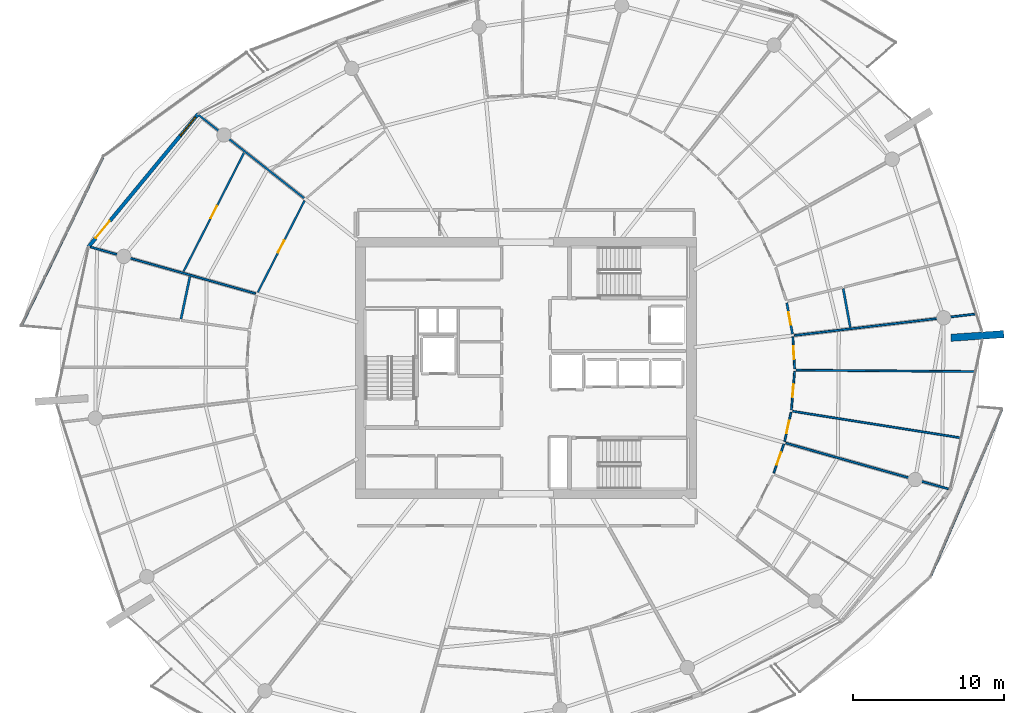
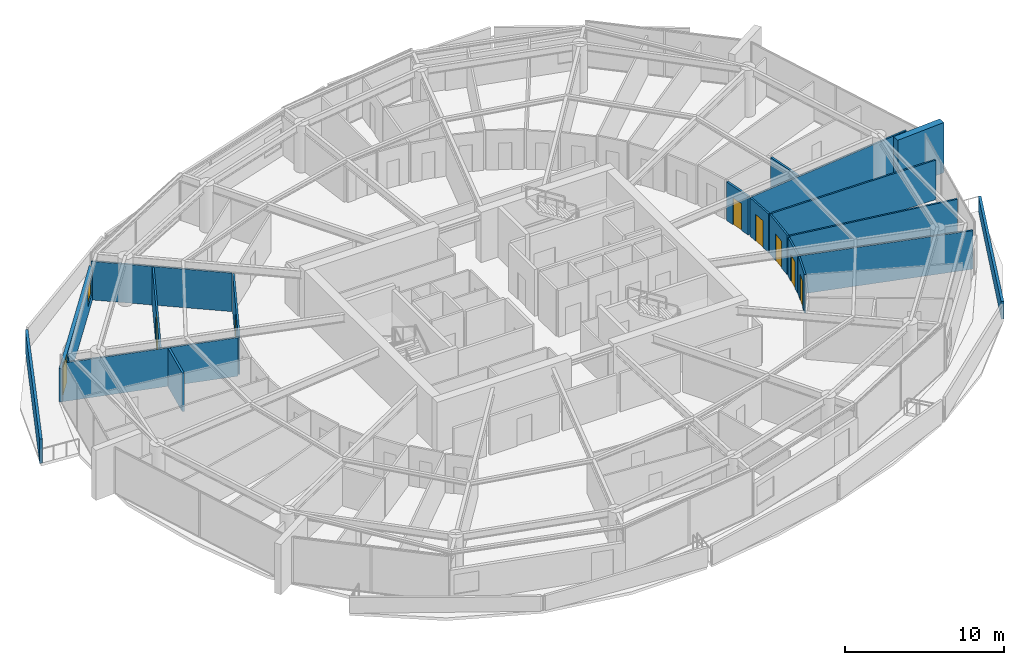
# One storey, part 21 of 31: 19 walls, 8 doors, 1 window, 9 openings.
"""IFC4 building model written with IfcOpenShell, lengths in metres."""

from ifc_helpers import new_model, si_unit, direction, frame, frame_2d, origin, place, context, subcontext, project, spatial, polyline, rectangle, outline, extrude, material, layer, layer_set, type_object, element, fill, save


model = new_model("IFC4")

# Units and contexts
model_context = context("Model", 3, precision=1e-05, world=origin(), true_north=direction((0.0, 1.0)))
body_context = subcontext(model_context, "Body", "Model", "MODEL_VIEW")
ifc_project = project(units=[si_unit("LENGTHUNIT", "METRE"), si_unit("AREAUNIT", "SQUARE_METRE"), si_unit("VOLUMEUNIT", "CUBIC_METRE"), si_unit("PLANEANGLEUNIT", "RADIAN"), si_unit("MASSUNIT", "GRAM", prefix="KILO")], contexts=[model_context])

# Site, building, storey
site_placement = place(None, origin())
site = spatial("IfcSite", under=ifc_project, at=site_placement, CompositionType="ELEMENT")
building_placement = place(site_placement, origin())
building = spatial("IfcBuilding", under=site, at=building_placement, Name="Kazma Halo Residences", CompositionType="ELEMENT")
storey_placement = place(building_placement, frame((0.0, 0.0, 259.800048828125)))
storey = spatial("IfcBuildingStorey", under=building, at=storey_placement, Name="L65", CompositionType="ELEMENT", Elevation=259.800048828125)

# Walls
ifc_material_1 = material(Name="White Concrete C50/60 Balustrade", Category="concrete")
ifc_layer_1 = layer(ifc_material_1, 0.179931640625)
ifc_layer_set_1 = layer_set([ifc_layer_1], Name="White Concrete C50/60 Balustrade")
wall_type_1 = type_object("IfcWallType", Name="WL-BAL-WAVE-180", PredefinedType="PARAPET", material=ifc_layer_set_1)
wall_1_placement = place(storey_placement, frame((20.405517578125, 55.92529296875, 0.0), z_axis=(0.0, 0.0, 1.0), x_axis=(-0.435762237374, -0.900061815921, 0.0)))
element("IfcWall", 1, at=wall_1_placement, inside=storey, type_object=wall_type_1, Name="L65 white wave balustrade wall NW.2", PredefinedType="PARAPET", context=body_context, shape_type="SweptSolid", body=[
    extrude(outline(polyline([(0.0, 0.0), (12.362060546875, 0.0), (12.3623046875, 1.85986328125), (6.18115234375, 1.7978515625), (0.0, 1.6318359375), (0.0, 0.0)])), frame((0.0, 0.08984375, 0.0), z_axis=(0.0, -1.0, 0.0), x_axis=(1.0, 0.0, 0.0)), (0.0, 0.0, 1.0), 0.179931640625),
])
wall_2_placement = place(storey_placement, frame((75.234619140625, 28.2578125, 0.0), z_axis=(0.0, 0.0, 1.0), x_axis=(0.392715313702, 0.919660090677, 0.0)))
element("IfcWall", 2, at=wall_2_placement, inside=storey, type_object=wall_type_1, Name="L65 white wave balustrade wall SE.2", PredefinedType="PARAPET", context=body_context, shape_type="SweptSolid", body=[
    extrude(outline(polyline([(0.0, 0.0), (11.9951171875, 0.0), (11.995361328125, 1.119873046875), (5.997802734375, 1.181884765625), (0.0, 1.347900390625), (0.0, 0.0)])), frame((0.0, 0.08984375, 0.0), z_axis=(0.0, -1.0, 0.0), x_axis=(1.0, 0.0, 0.0)), (0.0, 0.0, 1.0), 0.179931640625),
])
ifc_material_2 = material(Name="Pale Concrete C60/75", Category="concrete")
ifc_layer_2 = layer(ifc_material_2, 0.47998046875)
ifc_layer_set_2 = layer_set([ifc_layer_2], Name="Pale Concrete C60/75")
wall_type_2 = type_object("IfcWallType", Name="WL-BLADE-480", PredefinedType="SOLIDWALL", material=ifc_layer_set_2)
wall_3_placement = place(storey_placement, frame((76.5625, 43.997314453125, 0.0), z_axis=(0.0, 0.0, 1.0), x_axis=(0.997563824095, 0.069759707979, 0.0)))
element("IfcWall", 3, at=wall_3_placement, inside=storey, type_object=wall_type_2, Name="L65 pale concrete structural blade fin wall BW-04", PredefinedType="SOLIDWALL", context=body_context, shape_type="SweptSolid", body=[
    extrude(rectangle(XDim=3.499755859375, YDim=0.47998046875, at=frame_2d((1.75, 0.0))), origin(), (0.0, 0.0, 1.0), 3.849853515625),
])

# Wall, openings, door, window
ifc_material_3 = material(Name="Insulated Pale-Metal Composite Wall")
ifc_layer_3 = layer(ifc_material_3, 0.239990234375)
ifc_layer_set_3 = layer_set([ifc_layer_3], Name="Insulated Pale-Metal Composite Wall")
wall_type_3 = type_object("IfcWallType", Name="WL-EXT-HOST-240", PredefinedType="SOLIDWALL", material=ifc_layer_set_3)
wall_4_placement = place(storey_placement, frame((26.7421875, 58.822021484375, 0.0), z_axis=(0.0, 0.0, 1.0), x_axis=(-0.636680093065, -0.771128043255, 0.0)))
wall_4 = element("IfcWall", 4, at=wall_4_placement, inside=storey, type_object=wall_type_3, Name="L65 exterior terrace-access wall B06", PredefinedType="SOLIDWALL", context=body_context, shape_type="SweptSolid", body=[
    extrude(rectangle(XDim=11.438232421875, YDim=0.239990234375, at=frame_2d((5.71923828125, 0.0))), origin(), (0.0, 0.0, 1.0), 2.5400390625),
])
opening_1_placement = place(wall_4_placement, frame((9.21826171875, 0.0, 0.0)))
opening_1 = element("IfcOpeningElement", 5, at=opening_1_placement, cuts=wall_4, Name="Opening DTR-1600", PredefinedType="OPENING", context=body_context, shape_type="SweptSolid", body=[
    extrude(rectangle(XDim=1.449951171875, YDim=2.14990234375, at=frame_2d((0.72509765625, 1.074951171875))), frame((0.0, 0.1298828125, 0.0), z_axis=(0.0, -1.0, 0.0), x_axis=(1.0, 0.0, 0.0)), (0.0, 0.0, 1.0), 0.260009765625),
])
opening_2_placement = place(wall_4_placement, frame((0.280029296875, 0.0, 0.64990234375)))
opening_2 = element("IfcOpeningElement", 6, at=opening_2_placement, cuts=wall_4, Name="Opening W-1800", PredefinedType="OPENING", context=body_context, shape_type="SweptSolid", body=[
    extrude(rectangle(XDim=1.60009765625, YDim=1.5, at=frame_2d((0.800048828125, 0.75))), frame((0.0, 0.1298828125, 0.0), z_axis=(0.0, -1.0, 0.0), x_axis=(1.0, 0.0, 0.0)), (0.0, 0.0, 1.0), 0.260009765625),
])
ifc_material_4 = material(Name="Aluminium AW-6063 T6 Double-Glazed Terrace Door", Category="aluminium")
door_type_1 = type_object("IfcDoorType", Name="DR-EXT-TERR-1600", OperationType="NOTDEFINED", PredefinedType="DOOR", material=ifc_material_4)
door_1_placement = place(opening_1_placement, origin())
door_1 = element("IfcDoor", 7, at=door_1_placement, inside=storey, type_object=door_type_1, Name="L65 B06 balcony terrace door", OperationType="DOUBLE_DOOR_SLIDING", OverallHeight=2.14990234375, OverallWidth=1.449951171875, PredefinedType="DOOR", context=body_context, shape_type="SweptSolid", body=[
    extrude(rectangle(XDim=1.449951171875, YDim=2.14990234375, at=frame_2d((0.72509765625, 1.074951171875))), frame((0.0, 0.02490234375, 0.0), z_axis=(0.0, -1.0, 0.0), x_axis=(1.0, 0.0, 0.0)), (0.0, 0.0, 1.0), 0.050048828125),
])
fill(opening_1, door_1)
ifc_material_5 = material(Name="Clear Triple-Silver Low-E Glass in Aluminium AW-6063 T6 Frame", Category="aluminium")
window_type = type_object("IfcWindowType", Name="WIN-RES-1800", PartitioningType="DOUBLE_PANEL_VERTICAL", PredefinedType="WINDOW", material=ifc_material_5)
window_placement = place(opening_2_placement, origin())
window = element("IfcWindow", 8, at=window_placement, inside=storey, type_object=window_type, Name="L65 B06 apartment window", OverallHeight=1.5, OverallWidth=1.60009765625, PartitioningType="SINGLE_PANEL", PredefinedType="WINDOW", context=body_context, shape_type="SweptSolid", body=[
    extrude(rectangle(XDim=1.60009765625, YDim=1.5, at=frame_2d((0.800048828125, 0.75))), frame((0.0, 0.030029296875, 0.0), z_axis=(0.0, -1.0, 0.0), x_axis=(1.0, 0.0, 0.0)), (0.0, 0.0, 1.0), 0.06005859375),
])
fill(opening_2, window)

# Wall
ifc_material_6 = material(Name="Gypsum Plasterboard Partition")
ifc_layer_4 = layer(ifc_material_6, 0.125)
ifc_layer_set_4 = layer_set([ifc_layer_4], Name="Gypsum Plasterboard Partition")
wall_type_4 = type_object("IfcWallType", Name="WL-PART-125", PredefinedType="PARTITIONING", material=ifc_layer_set_4)
wall_5_placement = place(storey_placement, frame((33.743408203125, 53.239013671875, 0.0), z_axis=(0.0, 0.0, 1.0), x_axis=(-0.785324118062, 0.619084832305, 0.0)))
element("IfcWall", 9, at=wall_5_placement, inside=storey, type_object=wall_type_4, Name="L65 Apartment 1 radial partition 5", PredefinedType="PARTITIONING", context=body_context, shape_type="SweptSolid", body=[
    extrude(rectangle(XDim=8.9306640625, YDim=0.125, at=frame_2d((4.46533203125, 0.0))), origin(), (0.0, 0.0, 1.0), 2.95703125),
])

# Wall, opening, door
wall_6_placement = place(storey_placement, frame((33.77197265625, 53.0791015625, 0.0), z_axis=(0.0, 0.0, 1.0), x_axis=(-0.454012060349, -0.890995538181, 0.0)))
wall_6 = element("IfcWall", 10, at=wall_6_placement, inside=storey, type_object=wall_type_4, Name="L65 Apartment 1 North Dressing Wardrobe hall wall", PredefinedType="PARTITIONING", context=body_context, shape_type="SweptSolid", body=[
    extrude(rectangle(XDim=6.824462890625, YDim=0.125, at=frame_2d((3.412109375, 0.0))), origin(), (0.0, 0.0, 1.0), 2.95703125),
])
opening_3_placement = place(wall_6_placement, frame((2.962158203125, 0.0, 0.0)))
opening_3 = element("IfcOpeningElement", 11, at=opening_3_placement, cuts=wall_6, Name="Opening DI-950", PredefinedType="OPENING", context=body_context, shape_type="SweptSolid", body=[
    extrude(rectangle(XDim=0.89990234375, YDim=2.080078125, at=frame_2d((0.449951171875, 1.0400390625))), frame((0.0, 0.072509765625, 0.0), z_axis=(0.0, -1.0, 0.0), x_axis=(1.0, 0.0, 0.0)), (0.0, 0.0, 1.0), 0.14501953125),
])
ifc_material_7 = material(Name="Timber Veneer Flush Leaf", Category="wood")
door_type_2 = type_object("IfcDoorType", Name="DR-INT-950", OperationType="NOTDEFINED", PredefinedType="DOOR", material=ifc_material_7)
door_2_placement = place(opening_3_placement, origin())
door_2 = element("IfcDoor", 12, at=door_2_placement, inside=storey, type_object=door_type_2, Name="L65 Apartment 1 North Dressing Wardrobe door", OperationType="SINGLE_SWING_LEFT", OverallHeight=2.080078125, OverallWidth=0.89990234375, PredefinedType="DOOR", context=body_context, shape_type="SweptSolid", body=[
    extrude(rectangle(XDim=0.89990234375, YDim=2.080078125, at=frame_2d((0.449951171875, 1.0400390625))), frame((0.0, 0.02490234375, 0.0), z_axis=(0.0, -1.0, 0.0), x_axis=(1.0, 0.0, 0.0)), (0.0, 0.0, 1.0), 0.050048828125),
])
fill(opening_3, door_2)

wall_7_placement = place(storey_placement, frame((29.763671875, 56.239013671875, 0.0), z_axis=(0.0, 0.0, 1.0), x_axis=(-0.453980126594, -0.891011809494, 0.0)))
wall_7 = element("IfcWall", 13, at=wall_7_placement, inside=storey, type_object=wall_type_4, Name="L65 Apartment 1 South Master Bedroom divider wall", PredefinedType="PARTITIONING", context=body_context, shape_type="SweptSolid", body=[
    extrude(rectangle(XDim=8.81591796875, YDim=0.125, at=frame_2d((4.407958984375, 0.0))), origin(), (0.0, 0.0, 1.0), 2.95703125),
])
opening_4_placement = place(wall_7_placement, frame((3.9580078125, 0.0, 0.0)))
opening_4 = element("IfcOpeningElement", 14, at=opening_4_placement, cuts=wall_7, Name="Opening DI-950", PredefinedType="OPENING", context=body_context, shape_type="SweptSolid", body=[
    extrude(rectangle(XDim=0.89990234375, YDim=2.080078125, at=frame_2d((0.449951171875, 1.0400390625))), frame((0.0, 0.072509765625, 0.0), z_axis=(0.0, -1.0, 0.0), x_axis=(1.0, 0.0, 0.0)), (0.0, 0.0, 1.0), 0.14501953125),
])
door_3_placement = place(opening_4_placement, origin())
door_3 = element("IfcDoor", 15, at=door_3_placement, inside=storey, type_object=door_type_2, Name="L65 Apartment 1 South Master Bedroom door", OperationType="SINGLE_SWING_RIGHT", OverallHeight=2.080078125, OverallWidth=0.89990234375, PredefinedType="DOOR", context=body_context, shape_type="SweptSolid", body=[
    extrude(rectangle(XDim=0.89990234375, YDim=2.080078125, at=frame_2d((0.449951171875, 1.0400390625))), frame((0.0, 0.02490234375, 0.0), z_axis=(0.0, -1.0, 0.0), x_axis=(1.0, 0.0, 0.0)), (0.0, 0.0, 1.0), 0.050048828125),
])
fill(opening_4, door_3)

# Wall
wall_8_placement = place(storey_placement, frame((30.527587890625, 46.927734375, 0.0), z_axis=(0.0, 0.0, 1.0), x_axis=(-0.962454146261, 0.271444315367, 0.0)))
element("IfcWall", 16, at=wall_8_placement, inside=storey, type_object=wall_type_4, Name="L65 Apartment 1 radial partition 6", PredefinedType="PARTITIONING", context=body_context, shape_type="SweptSolid", body=[
    extrude(rectangle(XDim=11.341552734375, YDim=0.125, at=frame_2d((5.6708984375, 0.0))), origin(), (0.0, 0.0, 1.0), 2.95703125),
])

# Wall, opening, door
wall_9_placement = place(storey_placement, frame((64.831298828125, 35.043212890625, 0.0), z_axis=(0.0, 0.0, 1.0), x_axis=(0.329289900501, 0.944228871317, 0.0)))
wall_9 = element("IfcWall", 17, at=wall_9_placement, inside=storey, type_object=wall_type_4, Name="L65 Apartment 3 Primary Bedroom hall wall", PredefinedType="PARTITIONING", context=body_context, shape_type="SweptSolid", body=[
    extrude(rectangle(XDim=2.03076171875, YDim=0.125, at=frame_2d((1.015380859375, 0.0))), origin(), (0.0, 0.0, 1.0), 2.95703125),
])
opening_5_placement = place(wall_9_placement, frame((0.590576171875, 0.0, 0.0)))
opening_5 = element("IfcOpeningElement", 18, at=opening_5_placement, cuts=wall_9, Name="Opening DB-900", PredefinedType="OPENING", context=body_context, shape_type="SweptSolid", body=[
    extrude(rectangle(XDim=0.85009765625, YDim=2.06005859375, at=frame_2d((0.425048828125, 1.030029296875))), frame((0.0, 0.072509765625, 0.0), z_axis=(0.0, -1.0, 0.0), x_axis=(1.0, 0.0, 0.0)), (0.0, 0.0, 1.0), 0.14501953125),
])
ifc_material_8 = material(Name="Moisture-Sealed Timber Leaf", Category="wood")
door_type_3 = type_object("IfcDoorType", Name="DR-BTH-900", OperationType="NOTDEFINED", PredefinedType="DOOR", material=ifc_material_8)
door_4_placement = place(opening_5_placement, origin())
door_4 = element("IfcDoor", 19, at=door_4_placement, inside=storey, type_object=door_type_3, Name="L65 Apartment 3 Primary Bedroom door", OperationType="SINGLE_SWING_RIGHT", OverallHeight=2.06005859375, OverallWidth=0.85009765625, PredefinedType="DOOR", context=body_context, shape_type="SweptSolid", body=[
    extrude(rectangle(XDim=0.85009765625, YDim=2.06005859375, at=frame_2d((0.425048828125, 1.030029296875))), frame((0.0, 0.02490234375, 0.0), z_axis=(0.0, -1.0, 0.0), x_axis=(1.0, 0.0, 0.0)), (0.0, 0.0, 1.0), 0.050048828125),
])
fill(opening_5, door_4)

# Walls
wall_10_placement = place(storey_placement, frame((65.629150390625, 37.028076171875, 0.0), z_axis=(0.0, 0.0, 1.0), x_axis=(0.962453772483, -0.271445640659, 0.0)))
element("IfcWall", 20, at=wall_10_placement, inside=storey, type_object=wall_type_4, Name="L65 Apartment 3 radial partition 14", PredefinedType="PARTITIONING", context=body_context, shape_type="SweptSolid", body=[
    extrude(rectangle(XDim=11.1787109375, YDim=0.125, at=frame_2d((5.58935546875, 0.0))), origin(), (0.0, 0.0, 1.0), 2.95703125),
])
wall_11_placement = place(storey_placement, frame((66.08154296875, 39.135986328125, 0.0), z_axis=(0.0, 0.0, 1.0), x_axis=(0.987690506507, -0.156420789395, 0.0)))
element("IfcWall", 21, at=wall_11_placement, inside=storey, type_object=wall_type_4, Name="L65 Apartment 3 bay wall 1 14", PredefinedType="PARTITIONING", context=body_context, shape_type="SweptSolid", body=[
    extrude(rectangle(XDim=11.27197265625, YDim=0.125, at=frame_2d((5.635986328125, 0.0))), origin(), (0.0, 0.0, 1.0), 3.030029296875),
])
wall_12_placement = place(storey_placement, frame((66.306396484375, 41.856201171875, 0.0), z_axis=(0.0, 0.0, 1.0), x_axis=(0.999969195211, -0.00784911645, 0.0)))
element("IfcWall", 22, at=wall_12_placement, inside=storey, type_object=wall_type_4, Name="L65 Apartment 3 bay wall 2 14", PredefinedType="PARTITIONING", context=body_context, shape_type="SweptSolid", body=[
    extrude(rectangle(XDim=11.8505859375, YDim=0.125, at=frame_2d((5.92529296875, 0.0))), origin(), (0.0, 0.0, 1.0), 3.030029296875),
])

# Wall, opening, door
wall_13_placement = place(storey_placement, frame((65.550048828125, 37.13330078125, 0.0), z_axis=(0.0, 0.0, 1.0), x_axis=(0.214390122188, 0.976748112621, 0.0)))
wall_13 = element("IfcWall", 23, at=wall_13_placement, inside=storey, type_object=wall_type_4, Name="L65 Apartment 3 East Bedroom hall wall", PredefinedType="PARTITIONING", context=body_context, shape_type="SweptSolid", body=[
    extrude(rectangle(XDim=1.98486328125, YDim=0.125, at=frame_2d((0.992431640625, 0.0))), origin(), (0.0, 0.0, 1.0), 2.95703125),
])
opening_6_placement = place(wall_13_placement, frame((0.5673828125, 0.0, 0.0)))
opening_6 = element("IfcOpeningElement", 24, at=opening_6_placement, cuts=wall_13, Name="Opening DB-900", PredefinedType="OPENING", context=body_context, shape_type="SweptSolid", body=[
    extrude(rectangle(XDim=0.85009765625, YDim=2.06005859375, at=frame_2d((0.425048828125, 1.030029296875))), frame((0.0, 0.072509765625, 0.0), z_axis=(0.0, -1.0, 0.0), x_axis=(1.0, 0.0, 0.0)), (0.0, 0.0, 1.0), 0.14501953125),
])
door_5_placement = place(opening_6_placement, origin())
door_5 = element("IfcDoor", 25, at=door_5_placement, inside=storey, type_object=door_type_3, Name="L65 Apartment 3 East Bedroom door", OperationType="SINGLE_SWING_LEFT", OverallHeight=2.06005859375, OverallWidth=0.85009765625, PredefinedType="DOOR", context=body_context, shape_type="SweptSolid", body=[
    extrude(rectangle(XDim=0.85009765625, YDim=2.06005859375, at=frame_2d((0.425048828125, 1.030029296875))), frame((0.0, 0.02490234375, 0.0), z_axis=(0.0, -1.0, 0.0), x_axis=(1.0, 0.0, 0.0)), (0.0, 0.0, 1.0), 0.050048828125),
])
fill(opening_6, door_5)

wall_14_placement = place(storey_placement, frame((65.999267578125, 39.22998046875, 0.0), z_axis=(0.0, 0.0, 1.0), x_axis=(0.082341873898, 0.996604141976, 0.0)))
wall_14 = element("IfcWall", 26, at=wall_14_placement, inside=storey, type_object=wall_type_4, Name="L65 Apartment 3 West Dressing Wardrobe hall wall", PredefinedType="PARTITIONING", context=body_context, shape_type="SweptSolid", body=[
    extrude(rectangle(XDim=2.555908203125, YDim=0.125, at=frame_2d((1.27783203125, 0.0))), origin(), (0.0, 0.0, 1.0), 3.030029296875),
])
opening_7_placement = place(wall_14_placement, frame((0.85302734375, 0.0, 0.0)))
opening_7 = element("IfcOpeningElement", 27, at=opening_7_placement, cuts=wall_14, Name="Opening DB-900", PredefinedType="OPENING", context=body_context, shape_type="SweptSolid", body=[
    extrude(rectangle(XDim=0.85009765625, YDim=2.06005859375, at=frame_2d((0.425048828125, 1.030029296875))), frame((0.0, 0.072509765625, 0.0), z_axis=(0.0, -1.0, 0.0), x_axis=(1.0, 0.0, 0.0)), (0.0, 0.0, 1.0), 0.14501953125),
])
door_6_placement = place(opening_7_placement, origin())
door_6 = element("IfcDoor", 28, at=door_6_placement, inside=storey, type_object=door_type_3, Name="L65 Apartment 3 West Dressing Wardrobe door", OperationType="SINGLE_SWING_RIGHT", OverallHeight=2.06005859375, OverallWidth=0.85009765625, PredefinedType="DOOR", context=body_context, shape_type="SweptSolid", body=[
    extrude(rectangle(XDim=0.85009765625, YDim=2.06005859375, at=frame_2d((0.425048828125, 1.030029296875))), frame((0.0, 0.02490234375, 0.0), z_axis=(0.0, -1.0, 0.0), x_axis=(1.0, 0.0, 0.0)), (0.0, 0.0, 1.0), 0.050048828125),
])
fill(opening_7, door_6)

wall_15_placement = place(storey_placement, frame((66.2119140625, 41.936767578125, 0.0), z_axis=(0.0, 0.0, 1.0), x_axis=(-0.054847218402, 0.998494758441, 0.0)))
wall_15 = element("IfcWall", 29, at=wall_15_placement, inside=storey, type_object=wall_type_4, Name="L65 Apartment 3 North Bedroom hall wall", PredefinedType="PARTITIONING", context=body_context, shape_type="SweptSolid", body=[
    extrude(rectangle(XDim=2.127685546875, YDim=0.125, at=frame_2d((1.06396484375, 0.0))), origin(), (0.0, 0.0, 1.0), 2.95703125),
])
opening_8_placement = place(wall_15_placement, frame((0.638916015625, 0.0, 0.0)))
opening_8 = element("IfcOpeningElement", 30, at=opening_8_placement, cuts=wall_15, Name="Opening DB-900", PredefinedType="OPENING", context=body_context, shape_type="SweptSolid", body=[
    extrude(rectangle(XDim=0.85009765625, YDim=2.06005859375, at=frame_2d((0.425048828125, 1.030029296875))), frame((0.0, 0.072509765625, 0.0), z_axis=(0.0, -1.0, 0.0), x_axis=(1.0, 0.0, 0.0)), (0.0, 0.0, 1.0), 0.14501953125),
])
door_7_placement = place(opening_8_placement, origin())
door_7 = element("IfcDoor", 31, at=door_7_placement, inside=storey, type_object=door_type_3, Name="L65 Apartment 3 North Bedroom door", OperationType="SINGLE_SWING_LEFT", OverallHeight=2.06005859375, OverallWidth=0.85009765625, PredefinedType="DOOR", context=body_context, shape_type="SweptSolid", body=[
    extrude(rectangle(XDim=0.85009765625, YDim=2.06005859375, at=frame_2d((0.425048828125, 1.030029296875))), frame((0.0, 0.02490234375, 0.0), z_axis=(0.0, -1.0, 0.0), x_axis=(1.0, 0.0, 0.0)), (0.0, 0.0, 1.0), 0.050048828125),
])
fill(opening_8, door_7)

# Walls
wall_16_placement = place(storey_placement, frame((66.18994140625, 44.153076171875, 0.0), z_axis=(0.0, 0.0, 1.0), x_axis=(0.993069606842, 0.117527681703, 0.0)))
element("IfcWall", 32, at=wall_16_placement, inside=storey, type_object=wall_type_4, Name="L65 Apartment 3 radial partition 15", PredefinedType="PARTITIONING", context=body_context, shape_type="SweptSolid", body=[
    extrude(rectangle(XDim=12.11279296875, YDim=0.125, at=frame_2d((6.056396484375, 0.0))), origin(), (0.0, 0.0, 1.0), 2.95703125),
])
ifc_material_9 = material(Name="Moisture-Resistant Gypsum")
ifc_layer_5 = layer(ifc_material_9, 0.14990234375)
ifc_layer_set_5 = layer_set([ifc_layer_5], Name="Moisture-Resistant Gypsum")
wall_type_5 = type_object("IfcWallType", Name="WL-WET-150", PredefinedType="PARTITIONING", material=ifc_layer_set_5)
wall_17_placement = place(storey_placement, frame((26.185546875, 48.048583984375, 0.0), z_axis=(0.0, 0.0, 1.0), x_axis=(-0.205851663269, -0.97858320685, 0.0)))
element("IfcWall", 33, at=wall_17_placement, inside=storey, type_object=wall_type_5, Name="L65 Apartment 1 Inner En-Suite Bathroom back wall", PredefinedType="PARTITIONING", context=body_context, shape_type="SweptSolid", body=[
    extrude(rectangle(XDim=2.866455078125, YDim=0.14990234375, at=frame_2d((1.43310546875, 0.0))), origin(), (0.0, 0.0, 1.0), 2.95703125),
])

# Wall, opening, door
wall_18_placement = place(storey_placement, frame((66.07275390625, 44.239501953125, 0.0), z_axis=(0.0, 0.0, 1.0), x_axis=(-0.180106044943, 0.983647199241, 0.0)))
wall_18 = element("IfcWall", 34, at=wall_18_placement, inside=storey, type_object=wall_type_5, Name="L65 Apartment 3 South En-Suite Bathroom hall wall", PredefinedType="PARTITIONING", context=body_context, shape_type="SweptSolid", body=[
    extrude(rectangle(XDim=2.11181640625, YDim=0.14990234375, at=frame_2d((1.055908203125, 0.0))), origin(), (0.0, 0.0, 1.0), 2.95703125),
])
opening_9_placement = place(wall_18_placement, frame((0.631103515625, 0.0, 0.0)))
opening_9 = element("IfcOpeningElement", 35, at=opening_9_placement, cuts=wall_18, Name="Opening DB-900", PredefinedType="OPENING", context=body_context, shape_type="SweptSolid", body=[
    extrude(rectangle(XDim=0.85009765625, YDim=2.06005859375, at=frame_2d((0.425048828125, 1.030029296875))), frame((0.0, 0.0849609375, 0.0), z_axis=(0.0, -1.0, 0.0), x_axis=(1.0, 0.0, 0.0)), (0.0, 0.0, 1.0), 0.169921875),
])
door_8_placement = place(opening_9_placement, origin())
door_8 = element("IfcDoor", 36, at=door_8_placement, inside=storey, type_object=door_type_3, Name="L65 Apartment 3 South En-Suite Bathroom door", OperationType="SINGLE_SWING_LEFT", OverallHeight=2.06005859375, OverallWidth=0.85009765625, PredefinedType="DOOR", context=body_context, shape_type="SweptSolid", body=[
    extrude(rectangle(XDim=0.85009765625, YDim=2.06005859375, at=frame_2d((0.425048828125, 1.030029296875))), frame((0.0, 0.02490234375, 0.0), z_axis=(0.0, -1.0, 0.0), x_axis=(1.0, 0.0, 0.0)), (0.0, 0.0, 1.0), 0.050048828125),
])
fill(opening_9, door_8)

# Wall
wall_19_placement = place(storey_placement, frame((69.89599609375, 44.692138671875, 0.0), z_axis=(0.0, 0.0, 1.0), x_axis=(-0.180026361811, 0.983661785907, 0.0)))
element("IfcWall", 37, at=wall_19_placement, inside=storey, type_object=wall_type_5, Name="L65 Apartment 3 South En-Suite Bathroom back wall", PredefinedType="PARTITIONING", context=body_context, shape_type="SweptSolid", body=[
    extrude(rectangle(XDim=2.598388671875, YDim=0.14990234375, at=frame_2d((1.29931640625, 0.0))), origin(), (0.0, 0.0, 1.0), 2.95703125),
])

save(model, "model.ifc")
